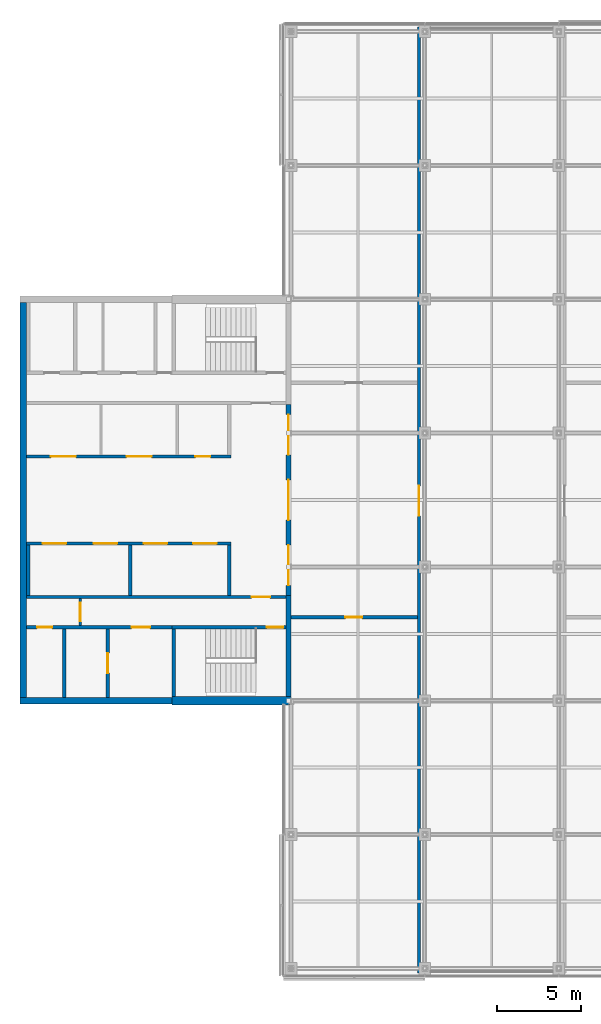
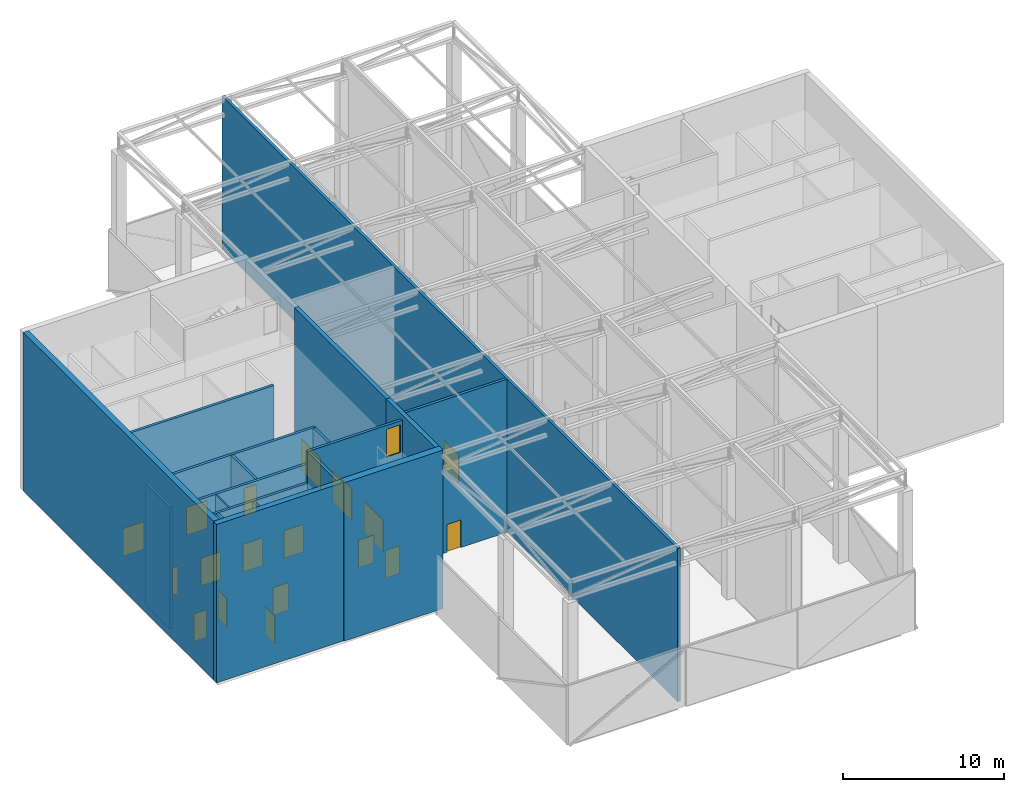
# One storey, part 11 of 23: 19 doors, 19 walls, 19 openings.
"""IFC4 building model written with IfcOpenShell, lengths in metres."""

from ifc_helpers import new_model, si_unit, direction, frame, frame_2d, origin, place, context, subcontext, project, spatial, rectangle, extrude, material, layer, layer_set, constituent, constituent_set, type_object, element, fill, save


model = new_model("IFC4")

# Units and contexts
model_context = context("Model", 3, precision=1e-05, world=origin(), true_north=direction((0.0, 1.0)))
body_context = subcontext(model_context, "Body", "Model", "MODEL_VIEW")
ifc_project = project(units=[si_unit("LENGTHUNIT", "METRE"), si_unit("AREAUNIT", "SQUARE_METRE"), si_unit("VOLUMEUNIT", "CUBIC_METRE"), si_unit("PLANEANGLEUNIT", "RADIAN"), si_unit("MASSUNIT", "GRAM", prefix="KILO")], contexts=[model_context])

# Site, building, storey
site_placement = place(None, origin())
site = spatial("IfcSite", under=ifc_project, at=site_placement, CompositionType="ELEMENT")
building_placement = place(site_placement, origin())
building = spatial("IfcBuilding", under=site, at=building_placement, Name="Crosswind Convention Tower", CompositionType="ELEMENT")
storey_placement = place(building_placement, frame((0.0, 0.0, 349.10009765625)))
storey = spatial("IfcBuildingStorey", under=building, at=storey_placement, Name="L76", CompositionType="ELEMENT", Elevation=349.10009765625)

# Wall, opening, door
ifc_material_1 = material(Name="Concrete blockwork", Category="masonry")
ifc_layer_1 = layer(ifc_material_1, 0.199951171875)
ifc_layer_set_1 = layer_set([ifc_layer_1], Name="COMPARTMENT WALL 200 BLOCKWORK")
wall_type_1 = type_object("IfcWallType", Name="COMPARTMENT WALL 200 BLOCKWORK", PredefinedType="SOLIDWALL", material=ifc_layer_set_1)
wall_1_placement = place(storey_placement, frame((120.64990234375, 71.72998046875, 0.0), z_axis=(0.0, 0.0, 1.0), x_axis=(0.0, 1.0, 0.0)))
wall_1 = element("IfcWall", 1, at=wall_1_placement, inside=storey, type_object=wall_type_1, Name="Compartment wall WT42", PredefinedType="SOLIDWALL", context=body_context, shape_type="SweptSolid", body=[
    extrude(rectangle(XDim=56.5400390625, YDim=0.199951171875, at=frame_2d((28.27001953125, 0.0))), origin(), (0.0, 0.0, 1.0), 11.599853515625),
])
opening_1_placement = place(wall_1_placement, frame((27.320068359375, 0.0, 0.0)))
opening_1 = element("IfcOpeningElement", 2, at=opening_1_placement, cuts=wall_1, Name="Opening L76-50", PredefinedType="OPENING", context=body_context, shape_type="SweptSolid", body=[
    extrude(rectangle(XDim=1.800048828125, YDim=2.10009765625, at=frame_2d((0.89990234375, 1.050048828125))), frame((0.0, 0.10986328125, 0.0), z_axis=(0.0, -1.0, 0.0), x_axis=(1.0, 0.0, 0.0)), (0.0, 0.0, 1.0), 0.219970703125),
])
ifc_material_2 = material(Name="Timber fire door", Category="wood")
door_type_1 = type_object("IfcDoorType", Name="TENANCY ENTRANCE DOUBLE DOOR 1800X2100 FD30S", OperationType="DOUBLE_DOOR_SINGLE_SWING", PredefinedType="DOOR", material=ifc_material_2)
door_1_placement = place(opening_1_placement, frame((1.800048828125, 0.0, 0.0), z_axis=(0.0, 0.0, 1.0), x_axis=(-1.0, 0.0, 0.0)))
door_1 = element("IfcDoor", 3, at=door_1_placement, inside=storey, type_object=door_type_1, Name="Door L76-50", ObjectType="D42", OperationType="DOUBLE_DOOR_SINGLE_SWING", OverallHeight=2.10009765625, OverallWidth=1.800048828125, PredefinedType="DOOR", context=body_context, shape_type="SweptSolid", body=[
    extrude(rectangle(XDim=1.800048828125, YDim=2.10009765625, at=frame_2d((0.89990234375, 1.050048828125))), frame((0.0, 0.02490234375, 0.0), z_axis=(0.0, -1.0, 0.0), x_axis=(1.0, 0.0, 0.0)), (0.0, 0.0, 1.0), 0.050048828125),
])
fill(opening_1, door_1)

wall_2_placement = place(storey_placement, frame((113.0, 93.0, 0.0), z_axis=(0.0, 0.0, 1.0), x_axis=(1.0, 0.0, 0.0)))
wall_2 = element("IfcWall", 4, at=wall_2_placement, inside=storey, type_object=wall_type_1, Name="Compartment wall WT42", PredefinedType="SOLIDWALL", context=body_context, shape_type="SweptSolid", body=[
    extrude(rectangle(XDim=7.550048828125, YDim=0.199951171875, at=frame_2d((3.77490234375, 0.0))), origin(), (0.0, 0.0, 1.0), 11.599853515625),
])
opening_2_placement = place(wall_2_placement, frame((3.25, 0.0, 0.0)))
opening_2 = element("IfcOpeningElement", 5, at=opening_2_placement, cuts=wall_2, Name="Opening L76-52", PredefinedType="OPENING", context=body_context, shape_type="SweptSolid", body=[
    extrude(rectangle(XDim=1.0, YDim=2.10009765625, at=frame_2d((0.5, 1.050048828125))), frame((0.0, 0.10986328125, 0.0), z_axis=(0.0, -1.0, 0.0), x_axis=(1.0, 0.0, 0.0)), (0.0, 0.0, 1.0), 0.219970703125),
])
ifc_material_3 = material(Name="Steel fire door", Category="steel")
door_type_2 = type_object("IfcDoorType", Name="PLANT ROOM DOOR 1000X2100 FD60", OperationType="NOTDEFINED", PredefinedType="DOOR", material=ifc_material_3)
door_2_placement = place(opening_2_placement, frame((1.0, 0.0, 0.0), z_axis=(0.0, 0.0, 1.0), x_axis=(-1.0, 0.0, 0.0)))
door_2 = element("IfcDoor", 6, at=door_2_placement, inside=storey, type_object=door_type_2, Name="Door L76-52", ObjectType="D43", OperationType="SINGLE_SWING_RIGHT", OverallHeight=2.10009765625, OverallWidth=1.0, PredefinedType="DOOR", context=body_context, shape_type="SweptSolid", body=[
    extrude(rectangle(XDim=1.0, YDim=2.10009765625, at=frame_2d((0.5, 1.050048828125))), frame((0.0, 0.02490234375, 0.0), z_axis=(0.0, -1.0, 0.0), x_axis=(1.0, 0.0, 0.0)), (0.0, 0.0, 1.0), 0.050048828125),
])
fill(opening_2, door_2)

# Wall, openings, doors
ifc_material_4 = material(Name="Concrete C50/60", Category="concrete")
ifc_layer_2 = layer(ifc_material_4, 0.300048828125)
ifc_layer_set_2 = layer_set([ifc_layer_2], Name="Concrete C50/60")
wall_type_2 = type_object("IfcWallType", Name="Concrete inner core wall 300", PredefinedType="SHEAR", material=ifc_layer_set_2)
wall_3_placement = place(storey_placement, frame((112.85009765625, 105.699951171875, 0.0), z_axis=(0.0, 0.0, 1.0), x_axis=(0.0, -1.0, 0.0)))
wall_3 = element("IfcWall", 7, at=wall_3_placement, inside=storey, type_object=wall_type_2, Name="Wall SCR W L76", PredefinedType="SHEAR", context=body_context, shape_type="SweptSolid", body=[
    extrude(rectangle(XDim=11.39990234375, YDim=0.300048828125, at=frame_2d((5.699951171875, 0.0))), origin(), (0.0, 0.0, 1.0), 12.0),
])
opening_3_placement = place(wall_3_placement, frame((0.60009765625, 0.0, 0.0)))
opening_3 = element("IfcOpeningElement", 8, at=opening_3_placement, cuts=wall_3, Name="Opening D100", PredefinedType="OPENING", context=body_context, shape_type="SweptSolid", body=[
    extrude(rectangle(XDim=2.39990234375, YDim=2.39990234375, at=frame_2d((1.199951171875, 1.199951171875))), frame((0.0, 0.159912109375, 0.0), z_axis=(0.0, -1.0, 0.0), x_axis=(1.0, 0.0, 0.0)), (0.0, 0.0, 1.0), 0.320068359375),
])
opening_4_placement = place(wall_3_placement, frame((4.5, 0.0, 0.0)))
opening_4 = element("IfcOpeningElement", 9, at=opening_4_placement, cuts=wall_3, Name="Opening D100", PredefinedType="OPENING", context=body_context, shape_type="SweptSolid", body=[
    extrude(rectangle(XDim=2.39990234375, YDim=2.39990234375, at=frame_2d((1.199951171875, 1.199951171875))), frame((0.0, 0.159912109375, 0.0), z_axis=(0.0, -1.0, 0.0), x_axis=(1.0, 0.0, 0.0)), (0.0, 0.0, 1.0), 0.320068359375),
])
opening_5_placement = place(wall_3_placement, frame((8.39990234375, 0.0, 0.0)))
opening_5 = element("IfcOpeningElement", 10, at=opening_5_placement, cuts=wall_3, Name="Opening D100", PredefinedType="OPENING", context=body_context, shape_type="SweptSolid", body=[
    extrude(rectangle(XDim=2.39990234375, YDim=2.39990234375, at=frame_2d((1.199951171875, 1.199951171875))), frame((0.0, 0.159912109375, 0.0), z_axis=(0.0, -1.0, 0.0), x_axis=(1.0, 0.0, 0.0)), (0.0, 0.0, 1.0), 0.320068359375),
])
ifc_material_5 = material(Name="Steel fire door with glazed vision panels", Category="steel")
door_type_3 = type_object("IfcDoorType", Name="Fire-rated double door 2400x2400", OperationType="DOUBLE_DOOR_SINGLE_SWING", PredefinedType="DOOR", material=ifc_material_5)
door_3_placement = place(opening_3_placement, frame((2.39990234375, 0.0, 0.0), z_axis=(0.0, 0.0, 1.0), x_axis=(-1.0, 0.0, 0.0)))
door_3 = element("IfcDoor", 11, at=door_3_placement, inside=storey, type_object=door_type_3, Name="Lobby door 1 L76", ObjectType="D100", OperationType="DOUBLE_DOOR_SINGLE_SWING", OverallHeight=2.39990234375, OverallWidth=2.39990234375, PredefinedType="DOOR", context=body_context, shape_type="SweptSolid", body=[
    extrude(rectangle(XDim=2.39990234375, YDim=2.39990234375, at=frame_2d((1.199951171875, 1.199951171875))), frame((0.0, 0.02490234375, 0.0), z_axis=(0.0, -1.0, 0.0), x_axis=(1.0, 0.0, 0.0)), (0.0, 0.0, 1.0), 0.050048828125),
])
fill(opening_3, door_3)
door_4_placement = place(opening_4_placement, frame((2.39990234375, 0.0, 0.0), z_axis=(0.0, 0.0, 1.0), x_axis=(-1.0, 0.0, 0.0)))
door_4 = element("IfcDoor", 12, at=door_4_placement, inside=storey, type_object=door_type_3, Name="Lobby door 2 L76", ObjectType="D100", OperationType="DOUBLE_DOOR_SINGLE_SWING", OverallHeight=2.39990234375, OverallWidth=2.39990234375, PredefinedType="DOOR", context=body_context, shape_type="SweptSolid", body=[
    extrude(rectangle(XDim=2.39990234375, YDim=2.39990234375, at=frame_2d((1.199951171875, 1.199951171875))), frame((0.0, 0.02490234375, 0.0), z_axis=(0.0, -1.0, 0.0), x_axis=(1.0, 0.0, 0.0)), (0.0, 0.0, 1.0), 0.050048828125),
])
fill(opening_4, door_4)
door_5_placement = place(opening_5_placement, frame((2.39990234375, 0.0, 0.0), z_axis=(0.0, 0.0, 1.0), x_axis=(-1.0, 0.0, 0.0)))
door_5 = element("IfcDoor", 13, at=door_5_placement, inside=storey, type_object=door_type_3, Name="Lobby door 3 L76", ObjectType="D100", OperationType="DOUBLE_DOOR_SINGLE_SWING", OverallHeight=2.39990234375, OverallWidth=2.39990234375, PredefinedType="DOOR", context=body_context, shape_type="SweptSolid", body=[
    extrude(rectangle(XDim=2.39990234375, YDim=2.39990234375, at=frame_2d((1.199951171875, 1.199951171875))), frame((0.0, 0.02490234375, 0.0), z_axis=(0.0, -1.0, 0.0), x_axis=(1.0, 0.0, 0.0)), (0.0, 0.0, 1.0), 0.050048828125),
])
fill(opening_5, door_5)

# Walls
wall_4_placement = place(storey_placement, frame((112.85009765625, 94.300048828125, 0.0), z_axis=(0.0, 0.0, 1.0), x_axis=(0.0, -1.0, 0.0)))
element("IfcWall", 14, at=wall_4_placement, inside=storey, type_object=wall_type_2, Name="Wall EP W L76", PredefinedType="SHEAR", context=body_context, shape_type="SweptSolid", body=[
    extrude(rectangle(XDim=6.050048828125, YDim=0.300048828125, at=frame_2d((3.02490234375, 0.0))), origin(), (0.0, 0.0, 1.0), 12.0),
])
ifc_layer_3 = layer(ifc_material_4, 0.199951171875)
ifc_layer_set_3 = layer_set([ifc_layer_3], Name="Concrete C50/60")
wall_type_3 = type_object("IfcWallType", Name="Concrete shaft and stair wall 200", PredefinedType="SHEAR", material=ifc_layer_set_3)
for number, where, z_axis, x_axis, name in (
    (15, (109.300048828125, 97.300048828125, 0.0), (0.0, 0.0, 1.0), (0.0, -1.0, 0.0), "Wall RPEND W L76"),
    (16, (103.39990234375, 97.300048828125, 0.0), (0.0, 0.0, 1.0), (0.0, -1.0, 0.0), "Wall RPSEP W L76"),
    (17, (97.300048828125, 97.300048828125, 0.0), (0.0, 0.0, 1.0), (0.0, -1.0, 0.0), "Wall RPEAST W L76"),
):
    element("IfcWall", number, at=place(storey_placement, frame(where, z_axis=z_axis, x_axis=x_axis)), inside=storey, type_object=wall_type_3, Name=name, PredefinedType="SHEAR", context=body_context, shape_type="SweptSolid", body=[
        extrude(rectangle(XDim=3.0, YDim=0.199951171875, at=frame_2d((1.5, 0.0))), origin(), (0.0, 0.0, 1.0), 9.199951171875),
    ])

# Wall, openings, doors
wall_5_placement = place(storey_placement, frame((109.39990234375, 97.39990234375, 0.0), z_axis=(0.0, 0.0, 1.0), x_axis=(-1.0, 0.0, 0.0)))
wall_5 = element("IfcWall", 18, at=wall_5_placement, inside=storey, type_object=wall_type_3, Name="Wall RPFRONT W L76", PredefinedType="SHEAR", context=body_context, shape_type="SweptSolid", body=[
    extrude(rectangle(XDim=12.199951171875, YDim=0.199951171875, at=frame_2d((6.10009765625, 0.0))), origin(), (0.0, 0.0, 1.0), 9.199951171875),
])
opening_6_placement = place(wall_5_placement, frame((0.85009765625, 0.0, 0.0)))
opening_6 = element("IfcOpeningElement", 19, at=opening_6_placement, cuts=wall_5, Name="Opening LD2", PredefinedType="OPENING", context=body_context, shape_type="SweptSolid", body=[
    extrude(rectangle(XDim=1.39990234375, YDim=2.10009765625, at=frame_2d((0.699951171875, 1.050048828125))), frame((0.0, 0.10986328125, 0.0), z_axis=(0.0, -1.0, 0.0), x_axis=(1.0, 0.0, 0.0)), (0.0, 0.0, 1.0), 0.219970703125),
])
opening_7_placement = place(wall_5_placement, frame((3.800048828125, 0.0, 0.0)))
opening_7 = element("IfcOpeningElement", 20, at=opening_7_placement, cuts=wall_5, Name="Opening LD2", PredefinedType="OPENING", context=body_context, shape_type="SweptSolid", body=[
    extrude(rectangle(XDim=1.39990234375, YDim=2.10009765625, at=frame_2d((0.699951171875, 1.050048828125))), frame((0.0, 0.10986328125, 0.0), z_axis=(0.0, -1.0, 0.0), x_axis=(1.0, 0.0, 0.0)), (0.0, 0.0, 1.0), 0.219970703125),
])
opening_8_placement = place(wall_5_placement, frame((6.800048828125, 0.0, 0.0)))
opening_8 = element("IfcOpeningElement", 21, at=opening_8_placement, cuts=wall_5, Name="Opening LD2", PredefinedType="OPENING", context=body_context, shape_type="SweptSolid", body=[
    extrude(rectangle(XDim=1.39990234375, YDim=2.10009765625, at=frame_2d((0.699951171875, 1.050048828125))), frame((0.0, 0.10986328125, 0.0), z_axis=(0.0, -1.0, 0.0), x_axis=(1.0, 0.0, 0.0)), (0.0, 0.0, 1.0), 0.219970703125),
])
opening_9_placement = place(wall_5_placement, frame((9.85009765625, 0.0, 0.0)))
opening_9 = element("IfcOpeningElement", 22, at=opening_9_placement, cuts=wall_5, Name="Opening LD2", PredefinedType="OPENING", context=body_context, shape_type="SweptSolid", body=[
    extrude(rectangle(XDim=1.39990234375, YDim=2.10009765625, at=frame_2d((0.699951171875, 1.050048828125))), frame((0.0, 0.10986328125, 0.0), z_axis=(0.0, -1.0, 0.0), x_axis=(1.0, 0.0, 0.0)), (0.0, 0.0, 1.0), 0.219970703125),
])
ifc_material_6 = material(Name="Stainless steel", Category="steel")
door_type_4 = type_object("IfcDoorType", Name="Lift landing door 1400x2100", OperationType="DOUBLE_DOOR_SLIDING", PredefinedType="DOOR", material=ifc_material_6)
door_6_placement = place(opening_6_placement, origin())
door_6 = element("IfcDoor", 23, at=door_6_placement, inside=storey, type_object=door_type_4, Name="Landing door HR1 L76", ObjectType="LD2", OperationType="DOUBLE_DOOR_SLIDING", OverallHeight=2.10009765625, OverallWidth=1.39990234375, PredefinedType="DOOR", context=body_context, shape_type="SweptSolid", body=[
    extrude(rectangle(XDim=1.39990234375, YDim=2.10009765625, at=frame_2d((0.699951171875, 1.050048828125))), frame((0.0, 0.02490234375, 0.0), z_axis=(0.0, -1.0, 0.0), x_axis=(1.0, 0.0, 0.0)), (0.0, 0.0, 1.0), 0.050048828125),
])
fill(opening_6, door_6)
door_7_placement = place(opening_7_placement, origin())
door_7 = element("IfcDoor", 24, at=door_7_placement, inside=storey, type_object=door_type_4, Name="Landing door HR2 L76", ObjectType="LD2", OperationType="DOUBLE_DOOR_SLIDING", OverallHeight=2.10009765625, OverallWidth=1.39990234375, PredefinedType="DOOR", context=body_context, shape_type="SweptSolid", body=[
    extrude(rectangle(XDim=1.39990234375, YDim=2.10009765625, at=frame_2d((0.699951171875, 1.050048828125))), frame((0.0, 0.02490234375, 0.0), z_axis=(0.0, -1.0, 0.0), x_axis=(1.0, 0.0, 0.0)), (0.0, 0.0, 1.0), 0.050048828125),
])
fill(opening_7, door_7)
door_8_placement = place(opening_8_placement, origin())
door_8 = element("IfcDoor", 25, at=door_8_placement, inside=storey, type_object=door_type_4, Name="Landing door HR3 L76", ObjectType="LD2", OperationType="DOUBLE_DOOR_SLIDING", OverallHeight=2.10009765625, OverallWidth=1.39990234375, PredefinedType="DOOR", context=body_context, shape_type="SweptSolid", body=[
    extrude(rectangle(XDim=1.39990234375, YDim=2.10009765625, at=frame_2d((0.699951171875, 1.050048828125))), frame((0.0, 0.02490234375, 0.0), z_axis=(0.0, -1.0, 0.0), x_axis=(1.0, 0.0, 0.0)), (0.0, 0.0, 1.0), 0.050048828125),
])
fill(opening_8, door_8)
door_9_placement = place(opening_9_placement, origin())
door_9 = element("IfcDoor", 26, at=door_9_placement, inside=storey, type_object=door_type_4, Name="Landing door HR4 L76", ObjectType="LD2", OperationType="DOUBLE_DOOR_SLIDING", OverallHeight=2.10009765625, OverallWidth=1.39990234375, PredefinedType="DOOR", context=body_context, shape_type="SweptSolid", body=[
    extrude(rectangle(XDim=1.39990234375, YDim=2.10009765625, at=frame_2d((0.699951171875, 1.050048828125))), frame((0.0, 0.02490234375, 0.0), z_axis=(0.0, -1.0, 0.0), x_axis=(1.0, 0.0, 0.0)), (0.0, 0.0, 1.0), 0.050048828125),
])
fill(opening_9, door_9)

wall_6_placement = place(storey_placement, frame((109.39990234375, 102.60009765625, 0.0), z_axis=(0.0, 0.0, 1.0), x_axis=(-1.0, 0.0, 0.0)))
wall_6 = element("IfcWall", 27, at=wall_6_placement, inside=storey, type_object=wall_type_3, Name="Wall RMFRONT W L76", PredefinedType="SHEAR", context=body_context, shape_type="SweptSolid", body=[
    extrude(rectangle(XDim=12.199951171875, YDim=0.199951171875, at=frame_2d((6.10009765625, 0.0))), origin(), (0.0, 0.0, 1.0), 9.199951171875),
])
opening_10_placement = place(wall_6_placement, frame((1.21875, 0.0, 0.0)))
opening_10 = element("IfcOpeningElement", 28, at=opening_10_placement, cuts=wall_6, Name="Opening D106", PredefinedType="OPENING", context=body_context, shape_type="SweptSolid", body=[
    extrude(rectangle(XDim=0.89990234375, YDim=2.10009765625, at=frame_2d((0.449951171875, 1.050048828125))), frame((0.0, 0.10986328125, 0.0), z_axis=(0.0, -1.0, 0.0), x_axis=(1.0, 0.0, 0.0)), (0.0, 0.0, 1.0), 0.219970703125),
])
opening_11_placement = place(wall_6_placement, frame((4.72998046875, 0.0, 0.0)))
opening_11 = element("IfcOpeningElement", 29, at=opening_11_placement, cuts=wall_6, Name="Opening D108", PredefinedType="OPENING", context=body_context, shape_type="SweptSolid", body=[
    extrude(rectangle(XDim=1.5, YDim=2.10009765625, at=frame_2d((0.75, 1.050048828125))), frame((0.0, 0.10986328125, 0.0), z_axis=(0.0, -1.0, 0.0), x_axis=(1.0, 0.0, 0.0)), (0.0, 0.0, 1.0), 0.219970703125),
])
opening_12_placement = place(wall_6_placement, frame((9.26123046875, 0.0, 0.0)))
opening_12 = element("IfcOpeningElement", 30, at=opening_12_placement, cuts=wall_6, Name="Opening D108", PredefinedType="OPENING", context=body_context, shape_type="SweptSolid", body=[
    extrude(rectangle(XDim=1.5, YDim=2.10009765625, at=frame_2d((0.75, 1.050048828125))), frame((0.0, 0.10986328125, 0.0), z_axis=(0.0, -1.0, 0.0), x_axis=(1.0, 0.0, 0.0)), (0.0, 0.0, 1.0), 0.219970703125),
])
door_type_5 = type_object("IfcDoorType", Name="Plant room double door 1500x2100", OperationType="DOUBLE_DOOR_SINGLE_SWING", PredefinedType="DOOR", material=ifc_material_3)
door_10_placement = place(opening_11_placement, frame((1.5, 0.0, 0.0), z_axis=(0.0, 0.0, 1.0), x_axis=(-1.0, 0.0, 0.0)))
door_10 = element("IfcDoor", 31, at=door_10_placement, inside=storey, type_object=door_type_5, Name="Door to mechanical plant room L76", ObjectType="D108", OperationType="DOUBLE_DOOR_SINGLE_SWING", OverallHeight=2.10009765625, OverallWidth=1.5, PredefinedType="DOOR", context=body_context, shape_type="SweptSolid", body=[
    extrude(rectangle(XDim=1.5, YDim=2.10009765625, at=frame_2d((0.75, 1.050048828125))), frame((0.0, 0.02490234375, 0.0), z_axis=(0.0, -1.0, 0.0), x_axis=(1.0, 0.0, 0.0)), (0.0, 0.0, 1.0), 0.050048828125),
])
fill(opening_11, door_10)
door_11_placement = place(opening_12_placement, frame((1.5, 0.0, 0.0), z_axis=(0.0, 0.0, 1.0), x_axis=(-1.0, 0.0, 0.0)))
door_11 = element("IfcDoor", 32, at=door_11_placement, inside=storey, type_object=door_type_5, Name="Door to pump room L76", ObjectType="D108", OperationType="DOUBLE_DOOR_SINGLE_SWING", OverallHeight=2.10009765625, OverallWidth=1.5, PredefinedType="DOOR", context=body_context, shape_type="SweptSolid", body=[
    extrude(rectangle(XDim=1.5, YDim=2.10009765625, at=frame_2d((0.75, 1.050048828125))), frame((0.0, 0.02490234375, 0.0), z_axis=(0.0, -1.0, 0.0), x_axis=(1.0, 0.0, 0.0)), (0.0, 0.0, 1.0), 0.050048828125),
])
fill(opening_12, door_11)
ifc_material_7 = material(Name="Timber door", Category="wood")
door_type_6 = type_object("IfcDoorType", Name="Single leaf door 900x2100", OperationType="NOTDEFINED", PredefinedType="DOOR", material=ifc_material_7)
door_12_placement = place(opening_10_placement, frame((0.89990234375, 0.0, 0.0), z_axis=(0.0, 0.0, 1.0), x_axis=(-1.0, 0.0, 0.0)))
door_12 = element("IfcDoor", 33, at=door_12_placement, inside=storey, type_object=door_type_6, Name="Door to electrical plant room L76", ObjectType="D106", OperationType="SINGLE_SWING_LEFT", OverallHeight=2.10009765625, OverallWidth=0.89990234375, PredefinedType="DOOR", context=body_context, shape_type="SweptSolid", body=[
    extrude(rectangle(XDim=0.89990234375, YDim=2.10009765625, at=frame_2d((0.449951171875, 1.050048828125))), frame((0.0, 0.02490234375, 0.0), z_axis=(0.0, -1.0, 0.0), x_axis=(1.0, 0.0, 0.0)), (0.0, 0.0, 1.0), 0.050048828125),
])
fill(opening_10, door_12)

# Wall, opening, door
wall_7_placement = place(storey_placement, frame((112.699951171875, 94.199951171875, 0.0), z_axis=(0.0, 0.0, 1.0), x_axis=(-1.0, 0.0, 0.0)))
wall_7 = element("IfcWall", 34, at=wall_7_placement, inside=storey, type_object=wall_type_3, Name="Wall HP W L76", PredefinedType="SHEAR", context=body_context, shape_type="SweptSolid", body=[
    extrude(rectangle(XDim=15.5, YDim=0.199951171875, at=frame_2d((7.75, 0.0))), origin(), (0.0, 0.0, 1.0), 9.199951171875),
])
opening_13_placement = place(wall_7_placement, frame((0.949951171875, 0.0, 0.0)))
opening_13 = element("IfcOpeningElement", 35, at=opening_13_placement, cuts=wall_7, Name="Opening D104", PredefinedType="OPENING", context=body_context, shape_type="SweptSolid", body=[
    extrude(rectangle(XDim=1.10009765625, YDim=2.10009765625, at=frame_2d((0.550048828125, 1.050048828125))), frame((0.0, 0.10986328125, 0.0), z_axis=(0.0, -1.0, 0.0), x_axis=(1.0, 0.0, 0.0)), (0.0, 0.0, 1.0), 0.219970703125),
])
door_type_7 = type_object("IfcDoorType", Name="Fire-rated single door 1100x2100", OperationType="NOTDEFINED", PredefinedType="DOOR", material=ifc_material_3)
door_13_placement = place(opening_13_placement, origin())
door_13 = element("IfcDoor", 36, at=door_13_placement, inside=storey, type_object=door_type_7, Name="Corridor door L76", ObjectType="D104", OperationType="SINGLE_SWING_LEFT", OverallHeight=2.10009765625, OverallWidth=1.10009765625, PredefinedType="DOOR", context=body_context, shape_type="SweptSolid", body=[
    extrude(rectangle(XDim=1.10009765625, YDim=2.10009765625, at=frame_2d((0.550048828125, 1.050048828125))), frame((0.0, 0.02490234375, 0.0), z_axis=(0.0, -1.0, 0.0), x_axis=(1.0, 0.0, 0.0)), (0.0, 0.0, 1.0), 0.050048828125),
])
fill(opening_13, door_13)

# Wall
wall_8_placement = place(storey_placement, frame((106.0, 92.300048828125, 0.0), z_axis=(0.0, 0.0, 1.0), x_axis=(0.0, -1.0, 0.0)))
element("IfcWall", 37, at=wall_8_placement, inside=storey, type_object=wall_type_3, Name="Wall PSE W L76", PredefinedType="SHEAR", context=body_context, shape_type="SweptSolid", body=[
    extrude(rectangle(XDim=4.050048828125, YDim=0.199951171875, at=frame_2d((2.02490234375, 0.0))), origin(), (0.0, 0.0, 1.0), 11.599853515625),
])

# Wall, opening, door
wall_9_placement = place(storey_placement, frame((102.050048828125, 92.300048828125, 0.0), z_axis=(0.0, 0.0, 1.0), x_axis=(0.0, -1.0, 0.0)))
wall_9 = element("IfcWall", 38, at=wall_9_placement, inside=storey, type_object=wall_type_3, Name="Wall PFLW W L76", PredefinedType="SHEAR", context=body_context, shape_type="SweptSolid", body=[
    extrude(rectangle(XDim=4.10009765625, YDim=0.199951171875, at=frame_2d((2.050048828125, 0.0))), origin(), (0.0, 0.0, 1.0), 9.199951171875),
])
opening_14_placement = place(wall_9_placement, frame((1.449951171875, 0.0, 0.0)))
opening_14 = element("IfcOpeningElement", 39, at=opening_14_placement, cuts=wall_9, Name="Opening LD1", PredefinedType="OPENING", context=body_context, shape_type="SweptSolid", body=[
    extrude(rectangle(XDim=1.199951171875, YDim=2.10009765625, at=frame_2d((0.60009765625, 1.050048828125))), frame((0.0, 0.10986328125, 0.0), z_axis=(0.0, -1.0, 0.0), x_axis=(1.0, 0.0, 0.0)), (0.0, 0.0, 1.0), 0.219970703125),
])
door_type_8 = type_object("IfcDoorType", Name="Lift landing door 1200x2100", OperationType="DOUBLE_DOOR_SLIDING", PredefinedType="DOOR", material=ifc_material_6)
door_14_placement = place(opening_14_placement, origin())
door_14 = element("IfcDoor", 40, at=door_14_placement, inside=storey, type_object=door_type_8, Name="Landing door FF2 L76", ObjectType="LD1", OperationType="DOUBLE_DOOR_SLIDING", OverallHeight=2.10009765625, OverallWidth=1.199951171875, PredefinedType="DOOR", context=body_context, shape_type="SweptSolid", body=[
    extrude(rectangle(XDim=1.199951171875, YDim=2.10009765625, at=frame_2d((0.60009765625, 1.050048828125))), frame((0.0, 0.02490234375, 0.0), z_axis=(0.0, -1.0, 0.0), x_axis=(1.0, 0.0, 0.0)), (0.0, 0.0, 1.0), 0.050048828125),
])
fill(opening_14, door_14)

# Wall
wall_10_placement = place(storey_placement, frame((99.449951171875, 92.300048828125, 0.0), z_axis=(0.0, 0.0, 1.0), x_axis=(0.0, -1.0, 0.0)))
element("IfcWall", 41, at=wall_10_placement, inside=storey, type_object=wall_type_3, Name="Wall PFSE W L76", PredefinedType="SHEAR", context=body_context, shape_type="SweptSolid", body=[
    extrude(rectangle(XDim=4.10009765625, YDim=0.199951171875, at=frame_2d((2.050048828125, 0.0))), origin(), (0.0, 0.0, 1.0), 9.199951171875),
])

# Wall, openings, doors
wall_11_placement = place(storey_placement, frame((112.699951171875, 92.39990234375, 0.0), z_axis=(0.0, 0.0, 1.0), x_axis=(-1.0, 0.0, 0.0)))
wall_11 = element("IfcWall", 42, at=wall_11_placement, inside=storey, type_object=wall_type_3, Name="Wall PCW W L76", PredefinedType="SHEAR", context=body_context, shape_type="SweptSolid", body=[
    extrude(rectangle(XDim=6.800048828125, YDim=0.199951171875, at=frame_2d((3.39990234375, 0.0))), origin(), (0.0, 0.0, 1.0), 11.599853515625),
])
opening_15_placement = place(wall_11_placement, frame((0.14990234375, 0.0, 0.0)))
opening_15 = element("IfcOpeningElement", 43, at=opening_15_placement, cuts=wall_11, Name="Opening D103", PredefinedType="OPENING", context=body_context, shape_type="SweptSolid", body=[
    extrude(rectangle(XDim=1.0, YDim=2.10009765625, at=frame_2d((0.5, 1.050048828125))), frame((0.0, 0.10986328125, 0.0), z_axis=(0.0, -1.0, 0.0), x_axis=(1.0, 0.0, 0.0)), (0.0, 0.0, 1.0), 0.219970703125),
])
opening_16_placement = place(wall_11_placement, frame((0.14990234375, 0.0, 9.199951171875)))
opening_16 = element("IfcOpeningElement", 44, at=opening_16_placement, cuts=wall_11, Name="Opening D103", PredefinedType="OPENING", context=body_context, shape_type="SweptSolid", body=[
    extrude(rectangle(XDim=1.0, YDim=2.10009765625, at=frame_2d((0.5, 1.050048828125))), frame((0.0, 0.10986328125, 0.0), z_axis=(0.0, -1.0, 0.0), x_axis=(1.0, 0.0, 0.0)), (0.0, 0.0, 1.0), 0.219970703125),
])
door_type_9 = type_object("IfcDoorType", Name="Fire-rated single door 1000x2100", OperationType="NOTDEFINED", PredefinedType="DOOR", material=ifc_material_3)
door_15_placement = place(opening_15_placement, origin())
door_15 = element("IfcDoor", 45, at=door_15_placement, inside=storey, type_object=door_type_9, Name="Stair ST3 door L76", ObjectType="D103", OperationType="SINGLE_SWING_LEFT", OverallHeight=2.10009765625, OverallWidth=1.0, PredefinedType="DOOR", context=body_context, shape_type="SweptSolid", body=[
    extrude(rectangle(XDim=1.0, YDim=2.10009765625, at=frame_2d((0.5, 1.050048828125))), frame((0.0, 0.02490234375, 0.0), z_axis=(0.0, -1.0, 0.0), x_axis=(1.0, 0.0, 0.0)), (0.0, 0.0, 1.0), 0.050048828125),
])
fill(opening_15, door_15)
door_16_placement = place(opening_16_placement, frame((1.0, 0.0, 0.0), z_axis=(0.0, 0.0, 1.0), x_axis=(-1.0, 0.0, 0.0)))
door_16 = element("IfcDoor", 46, at=door_16_placement, inside=storey, type_object=door_type_9, Name="Stair ST3 roof door L76", ObjectType="D103", OperationType="SINGLE_SWING_RIGHT", OverallHeight=2.10009765625, OverallWidth=1.0, PredefinedType="DOOR", context=body_context, shape_type="SweptSolid", body=[
    extrude(rectangle(XDim=1.0, YDim=2.10009765625, at=frame_2d((0.5, 1.050048828125))), frame((0.0, 0.02490234375, 0.0), z_axis=(0.0, -1.0, 0.0), x_axis=(1.0, 0.0, 0.0)), (0.0, 0.0, 1.0), 0.050048828125),
])
fill(opening_16, door_16)

wall_12_placement = place(storey_placement, frame((105.89990234375, 92.39990234375, 0.0), z_axis=(0.0, 0.0, 1.0), x_axis=(-1.0, 0.0, 0.0)))
wall_12 = element("IfcWall", 47, at=wall_12_placement, inside=storey, type_object=wall_type_3, Name="Wall PCX W L76", PredefinedType="SHEAR", context=body_context, shape_type="SweptSolid", body=[
    extrude(rectangle(XDim=8.699951171875, YDim=0.199951171875, at=frame_2d((4.35009765625, 0.0))), origin(), (0.0, 0.0, 1.0), 9.199951171875),
])
opening_17_placement = place(wall_12_placement, frame((1.324951171875, 0.0, 0.0)))
opening_17 = element("IfcOpeningElement", 48, at=opening_17_placement, cuts=wall_12, Name="Opening D104", PredefinedType="OPENING", context=body_context, shape_type="SweptSolid", body=[
    extrude(rectangle(XDim=1.10009765625, YDim=2.10009765625, at=frame_2d((0.550048828125, 1.050048828125))), frame((0.0, 0.10986328125, 0.0), z_axis=(0.0, -1.0, 0.0), x_axis=(1.0, 0.0, 0.0)), (0.0, 0.0, 1.0), 0.219970703125),
])
opening_18_placement = place(wall_12_placement, frame((7.175048828125, 0.0, 0.0)))
opening_18 = element("IfcOpeningElement", 49, at=opening_18_placement, cuts=wall_12, Name="Opening D106", PredefinedType="OPENING", context=body_context, shape_type="SweptSolid", body=[
    extrude(rectangle(XDim=0.89990234375, YDim=2.10009765625, at=frame_2d((0.449951171875, 1.050048828125))), frame((0.0, 0.10986328125, 0.0), z_axis=(0.0, -1.0, 0.0), x_axis=(1.0, 0.0, 0.0)), (0.0, 0.0, 1.0), 0.219970703125),
])
door_17_placement = place(opening_17_placement, frame((1.10009765625, 0.0, 0.0), z_axis=(0.0, 0.0, 1.0), x_axis=(-1.0, 0.0, 0.0)))
door_17 = element("IfcDoor", 50, at=door_17_placement, inside=storey, type_object=door_type_7, Name="Fire-fighting lobby FF2 door L76", ObjectType="D104", OperationType="SINGLE_SWING_LEFT", OverallHeight=2.10009765625, OverallWidth=1.10009765625, PredefinedType="DOOR", context=body_context, shape_type="SweptSolid", body=[
    extrude(rectangle(XDim=1.10009765625, YDim=2.10009765625, at=frame_2d((0.550048828125, 1.050048828125))), frame((0.0, 0.02490234375, 0.0), z_axis=(0.0, -1.0, 0.0), x_axis=(1.0, 0.0, 0.0)), (0.0, 0.0, 1.0), 0.050048828125),
])
fill(opening_17, door_17)
door_18_placement = place(opening_18_placement, origin())
door_18 = element("IfcDoor", 51, at=door_18_placement, inside=storey, type_object=door_type_6, Name="Door to plant room L76", ObjectType="D106", OperationType="SINGLE_SWING_RIGHT", OverallHeight=2.10009765625, OverallWidth=0.89990234375, PredefinedType="DOOR", context=body_context, shape_type="SweptSolid", body=[
    extrude(rectangle(XDim=0.89990234375, YDim=2.10009765625, at=frame_2d((0.449951171875, 1.050048828125))), frame((0.0, 0.02490234375, 0.0), z_axis=(0.0, -1.0, 0.0), x_axis=(1.0, 0.0, 0.0)), (0.0, 0.0, 1.0), 0.050048828125),
])
fill(opening_18, door_18)

# Wall, opening, door
ifc_material_8 = material(Name="Gypsum plasterboard partition", Category="gypsum")
ifc_layer_4 = layer(ifc_material_8, 0.125)
ifc_layer_set_4 = layer_set([ifc_layer_4], Name="Drywall partition wall 125")
wall_type_4 = type_object("IfcWallType", Name="Drywall partition wall 125", PredefinedType="PARTITIONING", material=ifc_layer_set_4)
wall_13_placement = place(storey_placement, frame((100.39990234375, 94.10009765625, 0.0), z_axis=(0.0, 0.0, 1.0), x_axis=(0.0, -1.0, 0.0)))
wall_13 = element("IfcWall", 52, at=wall_13_placement, inside=storey, type_object=wall_type_4, Name="Wall PXC1 W L76", PredefinedType="PARTITIONING", context=body_context, shape_type="SweptSolid", body=[
    extrude(rectangle(XDim=1.60009765625, YDim=0.125, at=frame_2d((0.800048828125, 0.0))), origin(), (0.0, 0.0, 1.0), 9.199951171875),
])
opening_19_placement = place(wall_13_placement, frame((0.25, 0.0, 0.0)))
opening_19 = element("IfcOpeningElement", 53, at=opening_19_placement, cuts=wall_13, Name="Opening D104", PredefinedType="OPENING", context=body_context, shape_type="SweptSolid", body=[
    extrude(rectangle(XDim=1.10009765625, YDim=2.10009765625, at=frame_2d((0.550048828125, 1.050048828125))), frame((0.0, 0.072509765625, 0.0), z_axis=(0.0, -1.0, 0.0), x_axis=(1.0, 0.0, 0.0)), (0.0, 0.0, 1.0), 0.14501953125),
])
door_19_placement = place(opening_19_placement, origin())
door_19 = element("IfcDoor", 54, at=door_19_placement, inside=storey, type_object=door_type_7, Name="Corridor smoke door L76", ObjectType="D104", OperationType="SINGLE_SWING_RIGHT", OverallHeight=2.10009765625, OverallWidth=1.10009765625, PredefinedType="DOOR", context=body_context, shape_type="SweptSolid", body=[
    extrude(rectangle(XDim=1.10009765625, YDim=2.10009765625, at=frame_2d((0.550048828125, 1.050048828125))), frame((0.0, 0.02490234375, 0.0), z_axis=(0.0, -1.0, 0.0), x_axis=(1.0, 0.0, 0.0)), (0.0, 0.0, 1.0), 0.050048828125),
])
fill(opening_19, door_19)

# Walls
ifc_material_9 = material(Name="Concrete C60/75", Category="concrete")
ifc_constituent_1 = constituent(ifc_material_9, Name="Structure")
ifc_material_10 = material(Name="Terracotta rainscreen", Category="ceramic")
ifc_constituent_2 = constituent(ifc_material_10, Name="Facing")
ifc_constituent_set_1 = constituent_set(constituents=[ifc_constituent_1, ifc_constituent_2], Name="Concrete C60/75, Terracotta rainscreen")
wall_type_5 = type_object("IfcWallType", Name="Terracotta rainscreen on concrete core wall 400", PredefinedType="SHEAR", material=ifc_constituent_set_1)
wall_14_placement = place(storey_placement, frame((105.89990234375, 88.0, 0.0), z_axis=(0.0, 0.0, 1.0), x_axis=(-1.0, 0.0, 0.0)))
element("IfcWall", 55, at=wall_14_placement, inside=storey, type_object=wall_type_5, Name="Wall N2 W L76", PredefinedType="SHEAR", context=body_context, shape_type="SweptSolid", body=[
    extrude(rectangle(XDim=9.099853515625, YDim=0.39990234375, at=frame_2d((4.5498046875, 0.0))), origin(), (0.0, 0.0, 1.0), 12.0),
])
wall_15_placement = place(storey_placement, frame((97.0, 111.800048828125, 0.0), z_axis=(0.0, 0.0, 1.0), x_axis=(0.0, -1.0, 0.0)))
element("IfcWall", 56, at=wall_15_placement, inside=storey, type_object=wall_type_5, Name="Wall O W L76", PredefinedType="SHEAR", context=body_context, shape_type="SweptSolid", body=[
    extrude(rectangle(XDim=23.60009765625, YDim=0.39990234375, at=frame_2d((11.800048828125, 0.0))), origin(), (0.0, 0.0, 1.0), 12.0),
])
ifc_constituent_3 = constituent(ifc_material_9, Name="Structure")
ifc_constituent_4 = constituent(ifc_material_10, Name="Facing")
ifc_constituent_set_2 = constituent_set(constituents=[ifc_constituent_3, ifc_constituent_4], Name="Concrete C60/75, Terracotta rainscreen")
wall_type_6 = type_object("IfcWallType", Name="Terracotta rainscreen on concrete core wall 500", PredefinedType="SHEAR", material=ifc_constituent_set_2)
wall_16_placement = place(storey_placement, frame((113.0, 88.0, 0.0), z_axis=(0.0, 0.0, 1.0), x_axis=(-1.0, 0.0, 0.0)))
element("IfcWall", 57, at=wall_16_placement, inside=storey, type_object=wall_type_6, Name="Wall N1 W L76", PredefinedType="SHEAR", context=body_context, shape_type="SweptSolid", body=[
    extrude(rectangle(XDim=7.10009765625, YDim=0.5, at=frame_2d((3.550048828125, 0.0))), origin(), (0.0, 0.0, 1.0), 12.0),
])

save(model, "model.ifc")
